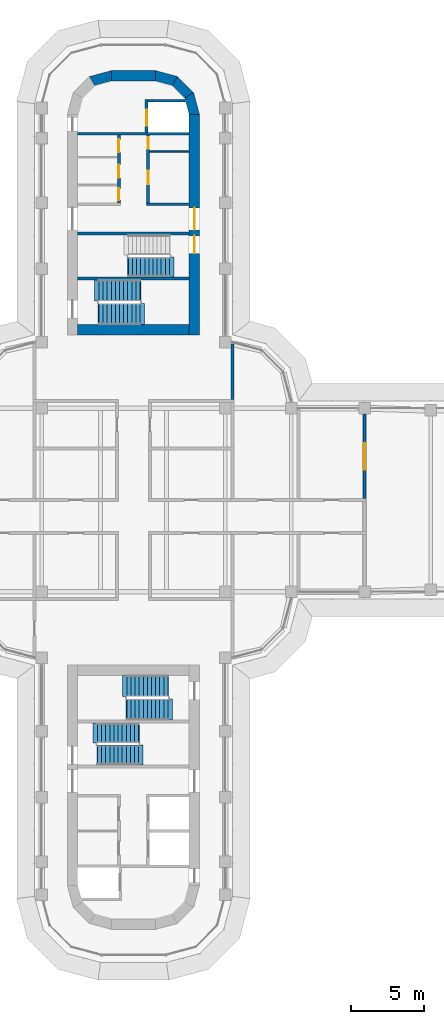
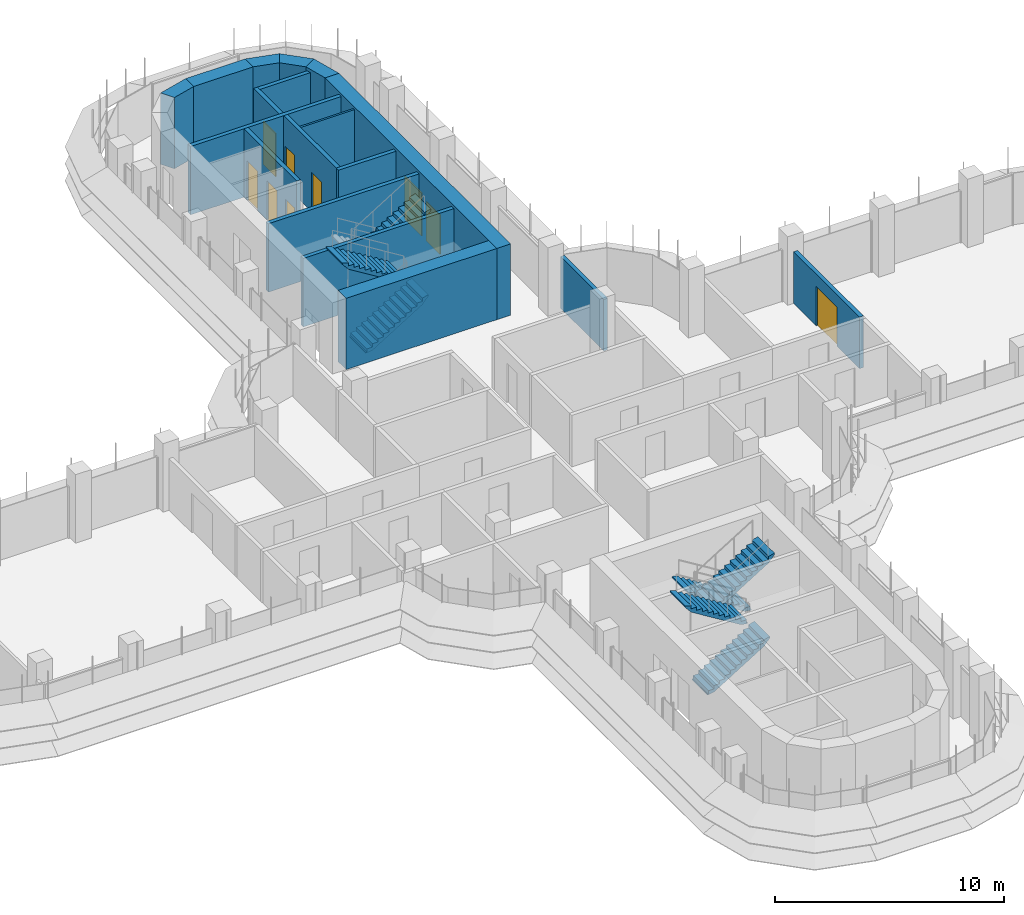
# One storey, part 15 of 20: 18 walls, 9 doors, 7 stair flights, 9 openings, 4 elements without a shape of their own.
"""IFC4 building model written with IfcOpenShell, lengths in metres."""

from ifc_helpers import new_model, si_unit, direction, frame, frame_2d, origin, place, context, subcontext, project, spatial, polyline, rectangle, outline, extrude, material, layer, layer_set, type_object, element, fill, aggregate, save


model = new_model("IFC4")

# Units and contexts
model_context = context("Model", 3, precision=1e-05, world=origin(), true_north=direction((0.0, 1.0)))
body_context = subcontext(model_context, "Body", "Model", "MODEL_VIEW")
ifc_project = project(units=[si_unit("LENGTHUNIT", "METRE"), si_unit("AREAUNIT", "SQUARE_METRE"), si_unit("VOLUMEUNIT", "CUBIC_METRE"), si_unit("PLANEANGLEUNIT", "RADIAN"), si_unit("MASSUNIT", "GRAM", prefix="KILO")], contexts=[model_context])

# Site, building, storey
site_placement = place(None, origin())
site = spatial("IfcSite", under=ifc_project, at=site_placement, CompositionType="ELEMENT")
building_placement = place(site_placement, origin())
building = spatial("IfcBuilding", under=site, at=building_placement, Name="Zarbagh Exchange Tower", CompositionType="ELEMENT")
storey_placement = place(building_placement, frame((0.0, 0.0, 163.800048828125)))
storey = spatial("IfcBuildingStorey", under=building, at=storey_placement, Name="L39", CompositionType="ELEMENT", Elevation=163.800048828125)

# Walls
ifc_material_1 = material(Name="Dense blockwork", Category="masonry")
ifc_layer_1 = layer(ifc_material_1, 0.10009765625)
ifc_layer_set_1 = layer_set([ifc_layer_1], Name="Core partition 100 mm blockwork")
wall_type_1 = type_object("IfcWallType", Name="Core partition 100 mm blockwork", PredefinedType="PARTITIONING", material=ifc_layer_set_1)
wall_1_placement = place(storey_placement, frame((1.10009765625, 23.75, 0.0), z_axis=(0.0, 0.0, 1.0), x_axis=(1.0, 0.0, 0.0)))
element("IfcWall", 1, at=wall_1_placement, inside=storey, type_object=wall_type_1, Name="North core partition wall CUT-E-460", PredefinedType="PARTITIONING", context=body_context, shape_type="SweptSolid", body=[
    extrude(rectangle(XDim=2.699951171875, YDim=0.10009765625, at=frame_2d((1.35009765625, 0.0))), origin(), (0.0, 0.0, 1.0), 3.64990234375),
])
ifc_material_2 = material(Name="Fire-rated plasterboard partition")
ifc_layer_2 = layer(ifc_material_2, 0.199951171875)
ifc_layer_set_2 = layer_set([ifc_layer_2], Name="RATED PARTITION 200")
wall_type_2 = type_object("IfcWallType", Name="RATED PARTITION 200", PredefinedType="PARTITIONING", material=ifc_layer_set_2)
wall_2_placement = place(storey_placement, frame((6.75, 6.85009765625, 0.0), z_axis=(0.0, 0.0, 1.0), x_axis=(0.0, 1.0, 0.0)))
element("IfcWall", 2, at=wall_2_placement, inside=storey, type_object=wall_type_2, Name="Partition W-1722", PredefinedType="PARTITIONING", context=body_context, shape_type="SweptSolid", body=[
    extrude(rectangle(XDim=3.77978515625, YDim=0.199951171875, at=frame_2d((1.889892578125, 0.0))), origin(), (0.0, 0.0, 1.0), 2.75),
])

# Wall, opening, door
wall_3_placement = place(storey_placement, frame((15.75, 5.85009765625, 0.0), z_axis=(0.0, 0.0, 1.0), x_axis=(0.0, -1.0, 0.0)))
wall_3 = element("IfcWall", 3, at=wall_3_placement, inside=storey, type_object=wall_type_2, Name="Partition W-1742", PredefinedType="PARTITIONING", context=body_context, shape_type="SweptSolid", body=[
    extrude(rectangle(XDim=5.75, YDim=0.199951171875, at=frame_2d((2.875, 0.0))), origin(), (0.0, 0.0, 1.0), 2.75),
])
opening_1_placement = place(wall_3_placement, frame((1.97509765625, 0.0, 0.0)))
opening_1 = element("IfcOpeningElement", 4, at=opening_1_placement, cuts=wall_3, Name="Opening D-1701", PredefinedType="OPENING", context=body_context, shape_type="SweptSolid", body=[
    extrude(rectangle(XDim=1.800048828125, YDim=2.10009765625, at=frame_2d((0.89990234375, 1.050048828125))), frame((0.0, 0.10986328125, 0.0), z_axis=(0.0, -1.0, 0.0), x_axis=(1.0, 0.0, 0.0)), (0.0, 0.0, 1.0), 0.219970703125),
])
ifc_material_3 = material(Name="Steel door set", Category="steel")
door_type_1 = type_object("IfcDoorType", Name="FIRE DOUBLE DOOR 1800 X 2100 FD30S", OperationType="DOUBLE_DOOR_SINGLE_SWING", PredefinedType="DOOR", material=ifc_material_3)
door_1_placement = place(opening_1_placement, origin())
door_1 = element("IfcDoor", 5, at=door_1_placement, inside=storey, type_object=door_type_1, Name="Door D-1701", OperationType="DOUBLE_DOOR_SINGLE_SWING", OverallHeight=2.10009765625, OverallWidth=1.800048828125, PredefinedType="DOOR", context=body_context, shape_type="SweptSolid", body=[
    extrude(rectangle(XDim=1.800048828125, YDim=2.10009765625, at=frame_2d((0.89990234375, 1.050048828125))), frame((0.0, 0.02490234375, 0.0), z_axis=(0.0, -1.0, 0.0), x_axis=(1.0, 0.0, 0.0)), (0.0, 0.0, 1.0), 0.050048828125),
])
fill(opening_1, door_1)

# Walls
ifc_material_4 = material(Name="Concrete C50/60", Category="concrete")
ifc_layer_3 = layer(ifc_material_4, 0.699951171875)
ifc_layer_set_3 = layer_set([ifc_layer_3], Name="RC core corner wall 700 C50/60")
wall_type_3 = type_object("IfcWallType", Name="RC core corner wall 700 C50/60", PredefinedType="SHEAR", material=ifc_layer_set_3)
wall_4_placement = place(storey_placement, origin())
element("IfcWall", 6, at=wall_4_placement, inside=storey, type_object=wall_type_3, Name="CW6 core N corner W", PredefinedType="SHEAR", context=body_context, shape_type="SweptSolid", body=[
    extrude(outline(polyline([(-3.0, 28.84814453125), (-1.5, 29.25), (-1.5, 28.550048828125), (-2.64990234375, 28.241943359375), (-3.0, 28.84814453125)])), origin(), (0.0, 0.0, 1.0), 3.800048828125),
])
wall_5_placement = place(storey_placement, origin())
element("IfcWall", 7, at=wall_5_placement, inside=storey, type_object=wall_type_3, Name="CW6 core N corner E", PredefinedType="SHEAR", context=body_context, shape_type="SweptSolid", body=[
    extrude(outline(polyline([(4.5, 26.25), (4.09814453125, 27.75), (3.491943359375, 27.39990234375), (3.800048828125, 26.25), (4.5, 26.25)])), origin(), (0.0, 0.0, 1.0), 3.800048828125),
])
wall_6_placement = place(storey_placement, origin())
element("IfcWall", 8, at=wall_6_placement, inside=storey, type_object=wall_type_3, Name="CW6 core N corner E", PredefinedType="SHEAR", context=body_context, shape_type="SweptSolid", body=[
    extrude(outline(polyline([(4.09814453125, 27.75), (3.0, 28.84814453125), (2.64990234375, 28.241943359375), (3.491943359375, 27.39990234375), (4.09814453125, 27.75)])), origin(), (0.0, 0.0, 1.0), 3.800048828125),
])
wall_7_placement = place(storey_placement, origin())
element("IfcWall", 9, at=wall_7_placement, inside=storey, type_object=wall_type_3, Name="CW6 core N corner E", PredefinedType="SHEAR", context=body_context, shape_type="SweptSolid", body=[
    extrude(outline(polyline([(3.0, 28.84814453125), (1.5, 29.25), (1.5, 28.550048828125), (2.64990234375, 28.241943359375), (3.0, 28.84814453125)])), origin(), (0.0, 0.0, 1.0), 3.800048828125),
])

# Wall, openings, doors
ifc_layer_4 = layer(ifc_material_4, 0.699951171875)
ifc_layer_set_4 = layer_set([ifc_layer_4], Name="RC core wall 700 C50/60")
wall_type_4 = type_object("IfcWallType", Name="RC core wall 700 C50/60", PredefinedType="SHEAR", material=ifc_layer_set_4)
wall_8_placement = place(storey_placement, frame((4.14990234375, 11.25, 0.0), z_axis=(0.0, 0.0, 1.0), x_axis=(0.0, 1.0, 0.0)))
wall_8 = element("IfcWall", 10, at=wall_8_placement, inside=storey, type_object=wall_type_4, Name="CW5 core N E", PredefinedType="SHEAR", context=body_context, shape_type="SweptSolid", body=[
    extrude(rectangle(XDim=15.0, YDim=0.699951171875, at=frame_2d((7.5, 0.0))), origin(), (0.0, 0.0, 1.0), 3.800048828125),
])
opening_2_placement = place(wall_8_placement, frame((7.14990234375, 0.0, 0.0)))
opening_2 = element("IfcOpeningElement", 11, at=opening_2_placement, cuts=wall_8, Name="Opening CD1-1500", PredefinedType="OPENING", context=body_context, shape_type="SweptSolid", body=[
    extrude(rectangle(XDim=1.5, YDim=2.300048828125, at=frame_2d((0.75, 1.14990234375))), frame((0.0, 0.35986328125, 0.0), z_axis=(0.0, -1.0, 0.0), x_axis=(1.0, 0.0, 0.0)), (0.0, 0.0, 1.0), 0.719970703125),
])
opening_3_placement = place(wall_8_placement, frame((5.550048828125, 0.0, 0.0)))
opening_3 = element("IfcOpeningElement", 12, at=opening_3_placement, cuts=wall_8, Name="Opening SD1-1200", PredefinedType="OPENING", context=body_context, shape_type="SweptSolid", body=[
    extrude(rectangle(XDim=1.199951171875, YDim=2.10009765625, at=frame_2d((0.60009765625, 1.050048828125))), frame((0.0, 0.35986328125, 0.0), z_axis=(0.0, -1.0, 0.0), x_axis=(1.0, 0.0, 0.0)), (0.0, 0.0, 1.0), 0.719970703125),
])
ifc_material_5 = material(Name="Steel", Category="steel")
door_type_2 = type_object("IfcDoorType", Name="Exit stair door 1200 x 2100", OperationType="NOTDEFINED", PredefinedType="DOOR", material=ifc_material_5)
door_2_placement = place(opening_3_placement, origin())
door_2 = element("IfcDoor", 13, at=door_2_placement, inside=storey, type_object=door_type_2, Name="North core stair door ST1", OperationType="SINGLE_SWING_RIGHT", OverallHeight=2.10009765625, OverallWidth=1.199951171875, PredefinedType="DOOR", context=body_context, shape_type="SweptSolid", body=[
    extrude(rectangle(XDim=1.199951171875, YDim=2.10009765625, at=frame_2d((0.60009765625, 1.050048828125))), frame((0.0, 0.02490234375, 0.0), z_axis=(0.0, -1.0, 0.0), x_axis=(1.0, 0.0, 0.0)), (0.0, 0.0, 1.0), 0.050048828125),
])
fill(opening_3, door_2)
door_type_3 = type_object("IfcDoorType", Name="Lift lobby double door 1500 x 2300", OperationType="NOTDEFINED", PredefinedType="DOOR", material=ifc_material_5)
door_3_placement = place(opening_2_placement, origin())
door_3 = element("IfcDoor", 14, at=door_3_placement, inside=storey, type_object=door_type_3, Name="North core lift lobby door LOBBY-E", OperationType="DOUBLE_DOOR_SINGLE_SWING", OverallHeight=2.300048828125, OverallWidth=1.5, PredefinedType="DOOR", context=body_context, shape_type="SweptSolid", body=[
    extrude(rectangle(XDim=1.5, YDim=2.300048828125, at=frame_2d((0.75, 1.14990234375))), frame((0.0, 0.02490234375, 0.0), z_axis=(0.0, -1.0, 0.0), x_axis=(1.0, 0.0, 0.0)), (0.0, 0.0, 1.0), 0.050048828125),
])
fill(opening_2, door_3)

# Walls
wall_9_placement = place(storey_placement, frame((-3.800048828125, 11.60009765625, 0.0), z_axis=(0.0, 0.0, 1.0), x_axis=(1.0, 0.0, 0.0)))
element("IfcWall", 15, at=wall_9_placement, inside=storey, type_object=wall_type_4, Name="CW5 core N inner end", PredefinedType="SHEAR", context=body_context, shape_type="SweptSolid", body=[
    extrude(rectangle(XDim=7.60009765625, YDim=0.699951171875, at=frame_2d((3.800048828125, 0.0))), origin(), (0.0, 0.0, 1.0), 3.800048828125),
])
wall_10_placement = place(storey_placement, frame((-1.5, 28.89990234375, 0.0), z_axis=(0.0, 0.0, 1.0), x_axis=(1.0, 0.0, 0.0)))
element("IfcWall", 16, at=wall_10_placement, inside=storey, type_object=wall_type_4, Name="CW5 core N outer end", PredefinedType="SHEAR", context=body_context, shape_type="SweptSolid", body=[
    extrude(rectangle(XDim=3.0, YDim=0.699951171875, at=frame_2d((1.5, 0.0))), origin(), (0.0, 0.0, 1.0), 3.800048828125),
])

# Wall, openings, doors
ifc_layer_5 = layer(ifc_material_1, 0.199951171875)
ifc_layer_set_5 = layer_set([ifc_layer_5], Name="Shaft wall 200 mm blockwork")
wall_type_5 = type_object("IfcWallType", Name="Shaft wall 200 mm blockwork", PredefinedType="PARTITIONING", material=ifc_layer_set_5)
wall_11_placement = place(storey_placement, frame((-1.0, 24.85009765625, 0.0), z_axis=(0.0, 0.0, 1.0), x_axis=(0.0, -1.0, 0.0)))
wall_11 = element("IfcWall", 17, at=wall_11_placement, inside=storey, type_object=wall_type_5, Name="North core shaft wall LW-W", PredefinedType="PARTITIONING", context=body_context, shape_type="SweptSolid", body=[
    extrude(rectangle(XDim=4.60009765625, YDim=0.199951171875, at=frame_2d((2.300048828125, 0.0))), origin(), (0.0, 0.0, 1.0), 3.64990234375),
])
opening_4_placement = place(wall_11_placement, frame((0.27490234375, 0.0, 0.0)))
opening_4 = element("IfcOpeningElement", 18, at=opening_4_placement, cuts=wall_11, Name="Opening CD3-900", PredefinedType="OPENING", context=body_context, shape_type="SweptSolid", body=[
    extrude(rectangle(XDim=0.89990234375, YDim=2.10009765625, at=frame_2d((0.449951171875, 1.050048828125))), frame((0.0, 0.10986328125, 0.0), z_axis=(0.0, -1.0, 0.0), x_axis=(1.0, 0.0, 0.0)), (0.0, 0.0, 1.0), 0.219970703125),
])
opening_5_placement = place(wall_11_placement, frame((2.0, 0.0, 0.0)))
opening_5 = element("IfcOpeningElement", 19, at=opening_5_placement, cuts=wall_11, Name="Opening CD3-900", PredefinedType="OPENING", context=body_context, shape_type="SweptSolid", body=[
    extrude(rectangle(XDim=0.89990234375, YDim=2.10009765625, at=frame_2d((0.449951171875, 1.050048828125))), frame((0.0, 0.10986328125, 0.0), z_axis=(0.0, -1.0, 0.0), x_axis=(1.0, 0.0, 0.0)), (0.0, 0.0, 1.0), 0.219970703125),
])
opening_6_placement = place(wall_11_placement, frame((3.625, 0.0, 0.0)))
opening_6 = element("IfcOpeningElement", 20, at=opening_6_placement, cuts=wall_11, Name="Opening CD3-800", PredefinedType="OPENING", context=body_context, shape_type="SweptSolid", body=[
    extrude(rectangle(XDim=0.800048828125, YDim=2.10009765625, at=frame_2d((0.39990234375, 1.050048828125))), frame((0.0, 0.10986328125, 0.0), z_axis=(0.0, -1.0, 0.0), x_axis=(1.0, 0.0, 0.0)), (0.0, 0.0, 1.0), 0.219970703125),
])
door_type_4 = type_object("IfcDoorType", Name="Core room door 800 x 2100", OperationType="NOTDEFINED", PredefinedType="DOOR", material=ifc_material_5)
door_4_placement = place(opening_6_placement, origin())
door_4 = element("IfcDoor", 21, at=door_4_placement, inside=storey, type_object=door_type_4, Name="North core IT room door RD-W-2", OperationType="SINGLE_SWING_LEFT", OverallHeight=2.10009765625, OverallWidth=0.800048828125, PredefinedType="DOOR", context=body_context, shape_type="SweptSolid", body=[
    extrude(rectangle(XDim=0.800048828125, YDim=2.10009765625, at=frame_2d((0.39990234375, 1.050048828125))), frame((0.0, 0.02490234375, 0.0), z_axis=(0.0, -1.0, 0.0), x_axis=(1.0, 0.0, 0.0)), (0.0, 0.0, 1.0), 0.050048828125),
])
fill(opening_6, door_4)
door_type_5 = type_object("IfcDoorType", Name="Core room door 900 x 2100", OperationType="NOTDEFINED", PredefinedType="DOOR", material=ifc_material_5)
door_5_placement = place(opening_4_placement, origin())
door_5 = element("IfcDoor", 22, at=door_5_placement, inside=storey, type_object=door_type_5, Name="North core Cleaner's store door RD-W-0", OperationType="SINGLE_SWING_LEFT", OverallHeight=2.10009765625, OverallWidth=0.89990234375, PredefinedType="DOOR", context=body_context, shape_type="SweptSolid", body=[
    extrude(rectangle(XDim=0.89990234375, YDim=2.10009765625, at=frame_2d((0.449951171875, 1.050048828125))), frame((0.0, 0.02490234375, 0.0), z_axis=(0.0, -1.0, 0.0), x_axis=(1.0, 0.0, 0.0)), (0.0, 0.0, 1.0), 0.050048828125),
])
fill(opening_4, door_5)
door_6_placement = place(opening_5_placement, origin())
door_6 = element("IfcDoor", 23, at=door_6_placement, inside=storey, type_object=door_type_5, Name="North core Pantry door RD-W-1", OperationType="SINGLE_SWING_LEFT", OverallHeight=2.10009765625, OverallWidth=0.89990234375, PredefinedType="DOOR", context=body_context, shape_type="SweptSolid", body=[
    extrude(rectangle(XDim=0.89990234375, YDim=2.10009765625, at=frame_2d((0.449951171875, 1.050048828125))), frame((0.0, 0.02490234375, 0.0), z_axis=(0.0, -1.0, 0.0), x_axis=(1.0, 0.0, 0.0)), (0.0, 0.0, 1.0), 0.050048828125),
])
fill(opening_5, door_6)

# Wall
wall_12_placement = place(storey_placement, frame((0.89990234375, 20.14990234375, 0.0), z_axis=(0.0, 0.0, 1.0), x_axis=(1.0, 0.0, 0.0)))
element("IfcWall", 24, at=wall_12_placement, inside=storey, type_object=wall_type_5, Name="North core shaft wall AB-E", PredefinedType="PARTITIONING", context=body_context, shape_type="SweptSolid", body=[
    extrude(rectangle(XDim=2.900146484375, YDim=0.199951171875, at=frame_2d((1.4501953125, 0.0))), origin(), (0.0, 0.0, 1.0), 3.64990234375),
])

# Wall, openings, doors
wall_13_placement = place(storey_placement, frame((1.0, 24.85009765625, 0.0), z_axis=(0.0, 0.0, 1.0), x_axis=(0.0, -1.0, 0.0)))
wall_13 = element("IfcWall", 25, at=wall_13_placement, inside=storey, type_object=wall_type_5, Name="North core shaft wall LW-E", PredefinedType="PARTITIONING", context=body_context, shape_type="SweptSolid", body=[
    extrude(rectangle(XDim=4.60009765625, YDim=0.199951171875, at=frame_2d((2.300048828125, 0.0))), origin(), (0.0, 0.0, 1.0), 3.64990234375),
])
opening_7_placement = place(wall_13_placement, frame((0.125, 0.0, 0.0)))
opening_7 = element("IfcOpeningElement", 26, at=opening_7_placement, cuts=wall_13, Name="Opening CD3-800", PredefinedType="OPENING", context=body_context, shape_type="SweptSolid", body=[
    extrude(rectangle(XDim=0.800048828125, YDim=2.10009765625, at=frame_2d((0.39990234375, 1.050048828125))), frame((0.0, 0.10986328125, 0.0), z_axis=(0.0, -1.0, 0.0), x_axis=(1.0, 0.0, 0.0)), (0.0, 0.0, 1.0), 0.219970703125),
])
opening_8_placement = place(wall_13_placement, frame((2.425048828125, 0.0, 0.0)))
opening_8 = element("IfcOpeningElement", 27, at=opening_8_placement, cuts=wall_13, Name="Opening CD3-900", PredefinedType="OPENING", context=body_context, shape_type="SweptSolid", body=[
    extrude(rectangle(XDim=0.89990234375, YDim=2.10009765625, at=frame_2d((0.449951171875, 1.050048828125))), frame((0.0, 0.10986328125, 0.0), z_axis=(0.0, -1.0, 0.0), x_axis=(1.0, 0.0, 0.0)), (0.0, 0.0, 1.0), 0.219970703125),
])
door_7_placement = place(opening_7_placement, origin())
door_7 = element("IfcDoor", 28, at=door_7_placement, inside=storey, type_object=door_type_4, Name="North core Store door RD-E-0", OperationType="SINGLE_SWING_LEFT", OverallHeight=2.10009765625, OverallWidth=0.800048828125, PredefinedType="DOOR", context=body_context, shape_type="SweptSolid", body=[
    extrude(rectangle(XDim=0.800048828125, YDim=2.10009765625, at=frame_2d((0.39990234375, 1.050048828125))), frame((0.0, 0.02490234375, 0.0), z_axis=(0.0, -1.0, 0.0), x_axis=(1.0, 0.0, 0.0)), (0.0, 0.0, 1.0), 0.050048828125),
])
fill(opening_7, door_7)
door_8_placement = place(opening_8_placement, origin())
door_8 = element("IfcDoor", 29, at=door_8_placement, inside=storey, type_object=door_type_5, Name="North core Staff WC door RD-E-1", OperationType="SINGLE_SWING_LEFT", OverallHeight=2.10009765625, OverallWidth=0.89990234375, PredefinedType="DOOR", context=body_context, shape_type="SweptSolid", body=[
    extrude(rectangle(XDim=0.89990234375, YDim=2.10009765625, at=frame_2d((0.449951171875, 1.050048828125))), frame((0.0, 0.02490234375, 0.0), z_axis=(0.0, -1.0, 0.0), x_axis=(1.0, 0.0, 0.0)), (0.0, 0.0, 1.0), 0.050048828125),
])
fill(opening_8, door_8)

# Wall
ifc_material_6 = material(Name="Concrete C40/50", Category="concrete")
ifc_layer_6 = layer(ifc_material_6, 0.199951171875)
ifc_layer_set_6 = layer_set([ifc_layer_6], Name="Stair enclosure wall 200 mm RC C40/50")
wall_type_6 = type_object("IfcWallType", Name="Stair enclosure wall 200 mm RC C40/50", PredefinedType="SHEAR", material=ifc_layer_set_6)
wall_14_placement = place(storey_placement, frame((-3.800048828125, 24.949951171875, 0.0), z_axis=(0.0, 0.0, 1.0), x_axis=(1.0, 0.0, 0.0)))
element("IfcWall", 30, at=wall_14_placement, inside=storey, type_object=wall_type_6, Name="North core lift shaft wall FFA", PredefinedType="SHEAR", context=body_context, shape_type="SweptSolid", body=[
    extrude(rectangle(XDim=7.60009765625, YDim=0.199951171875, at=frame_2d((3.800048828125, 0.0))), origin(), (0.0, 0.0, 1.0), 3.64990234375),
])

# Wall, opening, door
wall_15_placement = place(storey_placement, frame((0.89990234375, 27.300048828125, 0.0), z_axis=(0.0, 0.0, 1.0), x_axis=(0.0, -1.0, 0.0)))
wall_15 = element("IfcWall", 31, at=wall_15_placement, inside=storey, type_object=wall_type_6, Name="North core lift shaft wall FFL", PredefinedType="SHEAR", context=body_context, shape_type="SweptSolid", body=[
    extrude(rectangle(XDim=2.25, YDim=0.199951171875, at=frame_2d((1.125, 0.0))), origin(), (0.0, 0.0, 1.0), 3.64990234375),
])
opening_9_placement = place(wall_15_placement, frame((0.699951171875, 0.0, 0.0)))
opening_9 = element("IfcOpeningElement", 32, at=opening_9_placement, cuts=wall_15, Name="Opening LD-1100", PredefinedType="OPENING", context=body_context, shape_type="SweptSolid", body=[
    extrude(rectangle(XDim=1.10009765625, YDim=2.300048828125, at=frame_2d((0.550048828125, 1.14990234375))), frame((0.0, 0.10986328125, 0.0), z_axis=(0.0, -1.0, 0.0), x_axis=(1.0, 0.0, 0.0)), (0.0, 0.0, 1.0), 0.219970703125),
])
ifc_material_7 = material(Name="Stainless steel", Category="steel")
door_type_6 = type_object("IfcDoorType", Name="Lift landing door 1100 x 2300", OperationType="NOTDEFINED", PredefinedType="DOOR", material=ifc_material_7)
door_9_placement = place(opening_9_placement, origin())
door_9 = element("IfcDoor", 33, at=door_9_placement, inside=storey, type_object=door_type_6, Name="North core lift landing door LD-F", OperationType="DOUBLE_DOOR_SLIDING", OverallHeight=2.300048828125, OverallWidth=1.10009765625, PredefinedType="DOOR", context=body_context, shape_type="SweptSolid", body=[
    extrude(rectangle(XDim=1.10009765625, YDim=2.300048828125, at=frame_2d((0.550048828125, 1.14990234375))), frame((0.0, 0.02490234375, 0.0), z_axis=(0.0, -1.0, 0.0), x_axis=(1.0, 0.0, 0.0)), (0.0, 0.0, 1.0), 0.050048828125),
])
fill(opening_9, door_9)

# Walls
wall_16_placement = place(storey_placement, origin())
element("IfcWall", 34, at=wall_16_placement, inside=storey, type_object=wall_type_6, Name="North core lift shaft wall FFX", PredefinedType="SHEAR", context=body_context, shape_type="SweptSolid", body=[
    extrude(outline(polyline([(1.0, 27.10009765625), (3.547607421875, 27.10009765625), (3.493896484375, 27.300048828125), (1.0, 27.300048828125), (1.0, 27.10009765625)])), origin(), (0.0, 0.0, 1.0), 3.64990234375),
])
for number, where, z_axis, x_axis, name in (
    (35, (-3.800048828125, 18.14990234375, 0.0), (0.0, 0.0, 1.0), (1.0, 0.0, 0.0), "North core stair wall BS"),
    (36, (-3.800048828125, 15.10009765625, 0.0), (0.0, 0.0, 1.0), (1.0, 0.0, 0.0), "North core stair wall ST12"),
):
    element("IfcWall", number, at=place(storey_placement, frame(where, z_axis=z_axis, x_axis=x_axis)), inside=storey, type_object=wall_type_6, Name=name, PredefinedType="SHEAR", context=body_context, shape_type="SweptSolid", body=[
        extrude(rectangle(XDim=7.60009765625, YDim=0.199951171875, at=frame_2d((3.800048828125, 0.0))), origin(), (0.0, 0.0, 1.0), 3.64990234375),
    ])

# Stair, stair flight
stair_type = type_object("IfcStairType", Name="Exit stair two-flight half-turn", PredefinedType="HALF_TURN_STAIR", material=ifc_material_6)
stair_1_placement = place(storey_placement, origin())
stair_1 = element("IfcStair", 37, at=stair_1_placement, inside=storey, type_object=stair_type, Name="exit stair ST1", PredefinedType="HALF_TURN_STAIR")
stair_flight_type_1 = type_object("IfcStairFlightType", Name="Stair flight 1350 mm", PredefinedType="STRAIGHT", material=ifc_material_6)
stair_flight_1_placement = place(storey_placement, frame((-0.35009765625, 15.875, 1.89990234375), z_axis=(0.0, 0.0, 1.0), x_axis=(1.0, 0.0, 0.0)))
stair_flight_1 = element("IfcStairFlight", 38, at=stair_flight_1_placement, type_object=stair_flight_type_1, Name="ST1 flight 2", NumberOfRisers=11, NumberOfTreads=10, PredefinedType="STRAIGHT", RiserHeight=0.172727273, TreadLength=0.28, context=body_context, shape_type="SweptSolid", body=[
    extrude(outline(polyline([(-0.050048828125, -0.050048828125), (-0.050048828125, 0.0), (0.0, 0.0), (0.0, 0.172607421875), (0.280029296875, 0.172607421875), (0.280029296875, 0.345458984375), (0.56005859375, 0.345458984375), (0.56005859375, 0.51806640625), (0.840087890625, 0.51806640625), (0.840087890625, 0.69091796875), (1.1201171875, 0.69091796875), (1.1201171875, 0.863525390625), (1.39990234375, 0.863525390625), (1.39990234375, 1.036376953125), (1.679931640625, 1.036376953125), (1.679931640625, 1.208984375), (1.9599609375, 1.208984375), (1.9599609375, 1.3818359375), (2.239990234375, 1.3818359375), (2.239990234375, 1.554443359375), (2.52001953125, 1.554443359375), (2.52001953125, 1.727294921875), (2.800048828125, 1.727294921875), (2.800048828125, 1.89990234375), (3.10009765625, 1.97998046875), (3.10009765625, 1.89990234375), (2.800048828125, 1.551025390625), (0.285400390625, 0.0), (-0.050048828125, -0.050048828125)])), frame((0.0, 0.675048828125, 0.0), z_axis=(0.0, -1.0, 0.0), x_axis=(1.0, 0.0, 0.0)), (0.0, 0.0, 1.0), 1.35009765625),
])
aggregate(stair_1, [stair_flight_1])

# Stair, stair flights
stair_2_placement = place(storey_placement, origin())
stair_2 = element("IfcStair", 39, at=stair_2_placement, inside=storey, type_object=stair_type, Name="exit stair ST3", PredefinedType="HALF_TURN_STAIR")
stair_flight_2_placement = place(storey_placement, frame((-2.449951171875, -17.375, 0.0), z_axis=(0.0, 0.0, 1.0), x_axis=(1.0, 0.0, 0.0)))
stair_flight_2 = element("IfcStairFlight", 40, at=stair_flight_2_placement, type_object=stair_flight_type_1, Name="ST3 flight 1", NumberOfRisers=11, NumberOfTreads=10, PredefinedType="STRAIGHT", RiserHeight=0.172727273, TreadLength=0.28, context=body_context, shape_type="SweptSolid", body=[
    extrude(outline(polyline([(-0.050048828125, -0.050048828125), (-0.050048828125, 0.0), (0.0, 0.0), (0.0, 0.172607421875), (0.280029296875, 0.172607421875), (0.280029296875, 0.345458984375), (0.56005859375, 0.345458984375), (0.56005859375, 0.51806640625), (0.840087890625, 0.51806640625), (0.840087890625, 0.69091796875), (1.1201171875, 0.69091796875), (1.1201171875, 0.863525390625), (1.39990234375, 0.863525390625), (1.39990234375, 1.036376953125), (1.679931640625, 1.036376953125), (1.679931640625, 1.208984375), (1.9599609375, 1.208984375), (1.9599609375, 1.3818359375), (2.239990234375, 1.3818359375), (2.239990234375, 1.554443359375), (2.52001953125, 1.554443359375), (2.52001953125, 1.727294921875), (2.800048828125, 1.727294921875), (2.800048828125, 1.89990234375), (3.10009765625, 1.97998046875), (3.10009765625, 1.89990234375), (2.800048828125, 1.551025390625), (0.285400390625, 0.0), (-0.050048828125, -0.050048828125)])), frame((0.0, 0.675048828125, 0.0), z_axis=(0.0, -1.0, 0.0), x_axis=(1.0, 0.0, 0.0)), (0.0, 0.0, 1.0), 1.35009765625),
])
stair_flight_3_placement = place(storey_placement, frame((0.35009765625, -15.875, 1.89990234375), z_axis=(0.0, 0.0, 1.0), x_axis=(-1.0, 0.0, 0.0)))
stair_flight_3 = element("IfcStairFlight", 41, at=stair_flight_3_placement, type_object=stair_flight_type_1, Name="ST3 flight 2", NumberOfRisers=11, NumberOfTreads=10, PredefinedType="STRAIGHT", RiserHeight=0.172727273, TreadLength=0.28, context=body_context, shape_type="SweptSolid", body=[
    extrude(outline(polyline([(-0.050048828125, -0.050048828125), (-0.050048828125, 0.0), (0.0, 0.0), (0.0, 0.172607421875), (0.280029296875, 0.172607421875), (0.280029296875, 0.345458984375), (0.56005859375, 0.345458984375), (0.56005859375, 0.51806640625), (0.840087890625, 0.51806640625), (0.840087890625, 0.69091796875), (1.1201171875, 0.69091796875), (1.1201171875, 0.863525390625), (1.39990234375, 0.863525390625), (1.39990234375, 1.036376953125), (1.679931640625, 1.036376953125), (1.679931640625, 1.208984375), (1.9599609375, 1.208984375), (1.9599609375, 1.3818359375), (2.239990234375, 1.3818359375), (2.239990234375, 1.554443359375), (2.52001953125, 1.554443359375), (2.52001953125, 1.727294921875), (2.800048828125, 1.727294921875), (2.800048828125, 1.89990234375), (3.10009765625, 1.97998046875), (3.10009765625, 1.89990234375), (2.800048828125, 1.551025390625), (0.285400390625, 0.0), (-0.050048828125, -0.050048828125)])), frame((0.0, 0.675048828125, 0.0), z_axis=(0.0, -1.0, 0.0), x_axis=(1.0, 0.0, 0.0)), (0.0, 0.0, 1.0), 1.35009765625),
])
aggregate(stair_2, [stair_flight_2, stair_flight_3])

stair_3_placement = place(storey_placement, origin())
stair_3 = element("IfcStair", 42, at=stair_3_placement, inside=storey, type_object=stair_type, Name="exit stair ST2", PredefinedType="HALF_TURN_STAIR")
stair_flight_type_2 = type_object("IfcStairFlightType", Name="Stair flight 1450 mm", PredefinedType="STRAIGHT", material=ifc_material_6)
stair_flight_4_placement = place(storey_placement, frame((-2.35009765625, 12.675048828125, 0.0), z_axis=(0.0, 0.0, 1.0), x_axis=(1.0, 0.0, 0.0)))
stair_flight_4 = element("IfcStairFlight", 43, at=stair_flight_4_placement, type_object=stair_flight_type_2, Name="ST2 flight 1", NumberOfRisers=11, NumberOfTreads=10, PredefinedType="STRAIGHT", RiserHeight=0.172727273, TreadLength=0.28, context=body_context, shape_type="SweptSolid", body=[
    extrude(outline(polyline([(-0.050048828125, -0.050048828125), (-0.050048828125, 0.0), (0.0, 0.0), (0.0, 0.172607421875), (0.280029296875, 0.172607421875), (0.280029296875, 0.345458984375), (0.56005859375, 0.345458984375), (0.56005859375, 0.51806640625), (0.840087890625, 0.51806640625), (0.840087890625, 0.69091796875), (1.1201171875, 0.69091796875), (1.1201171875, 0.863525390625), (1.39990234375, 0.863525390625), (1.39990234375, 1.036376953125), (1.679931640625, 1.036376953125), (1.679931640625, 1.208984375), (1.9599609375, 1.208984375), (1.9599609375, 1.3818359375), (2.239990234375, 1.3818359375), (2.239990234375, 1.554443359375), (2.52001953125, 1.554443359375), (2.52001953125, 1.727294921875), (2.800048828125, 1.727294921875), (2.800048828125, 1.89990234375), (3.10009765625, 1.97998046875), (3.10009765625, 1.89990234375), (2.800048828125, 1.551025390625), (0.285400390625, 0.0), (-0.050048828125, -0.050048828125)])), frame((0.0, 0.72509765625, 0.0), z_axis=(0.0, -1.0, 0.0), x_axis=(1.0, 0.0, 0.0)), (0.0, 0.0, 1.0), 1.449951171875),
])
stair_flight_5_placement = place(storey_placement, frame((0.449951171875, 14.27490234375, 1.89990234375), z_axis=(0.0, 0.0, 1.0), x_axis=(-1.0, 0.0, 0.0)))
stair_flight_5 = element("IfcStairFlight", 44, at=stair_flight_5_placement, type_object=stair_flight_type_2, Name="ST2 flight 2", NumberOfRisers=11, NumberOfTreads=10, PredefinedType="STRAIGHT", RiserHeight=0.172727273, TreadLength=0.28, context=body_context, shape_type="SweptSolid", body=[
    extrude(outline(polyline([(-0.050048828125, -0.050048828125), (-0.050048828125, 0.0), (0.0, 0.0), (0.0, 0.172607421875), (0.280029296875, 0.172607421875), (0.280029296875, 0.345458984375), (0.56005859375, 0.345458984375), (0.56005859375, 0.51806640625), (0.840087890625, 0.51806640625), (0.840087890625, 0.69091796875), (1.1201171875, 0.69091796875), (1.1201171875, 0.863525390625), (1.39990234375, 0.863525390625), (1.39990234375, 1.036376953125), (1.679931640625, 1.036376953125), (1.679931640625, 1.208984375), (1.9599609375, 1.208984375), (1.9599609375, 1.3818359375), (2.239990234375, 1.3818359375), (2.239990234375, 1.554443359375), (2.52001953125, 1.554443359375), (2.52001953125, 1.727294921875), (2.800048828125, 1.727294921875), (2.800048828125, 1.89990234375), (3.10009765625, 1.97998046875), (3.10009765625, 1.89990234375), (2.800048828125, 1.551025390625), (0.285400390625, 0.0), (-0.050048828125, -0.050048828125)])), frame((0.0, 0.72509765625, 0.0), z_axis=(0.0, -1.0, 0.0), x_axis=(1.0, 0.0, 0.0)), (0.0, 0.0, 1.0), 1.449951171875),
])
aggregate(stair_3, [stair_flight_4, stair_flight_5])

stair_4_placement = place(storey_placement, origin())
stair_4 = element("IfcStair", 45, at=stair_4_placement, inside=storey, type_object=stair_type, Name="exit stair ST4", PredefinedType="HALF_TURN_STAIR")
stair_flight_6_placement = place(storey_placement, frame((2.35009765625, -12.675048828125, 0.0), z_axis=(0.0, 0.0, 1.0), x_axis=(-1.0, 0.0, 0.0)))
stair_flight_6 = element("IfcStairFlight", 46, at=stair_flight_6_placement, type_object=stair_flight_type_2, Name="ST4 flight 1", NumberOfRisers=11, NumberOfTreads=10, PredefinedType="STRAIGHT", RiserHeight=0.172727273, TreadLength=0.28, context=body_context, shape_type="SweptSolid", body=[
    extrude(outline(polyline([(-0.050048828125, -0.050048828125), (-0.050048828125, 0.0), (0.0, 0.0), (0.0, 0.172607421875), (0.280029296875, 0.172607421875), (0.280029296875, 0.345458984375), (0.56005859375, 0.345458984375), (0.56005859375, 0.51806640625), (0.840087890625, 0.51806640625), (0.840087890625, 0.69091796875), (1.1201171875, 0.69091796875), (1.1201171875, 0.863525390625), (1.39990234375, 0.863525390625), (1.39990234375, 1.036376953125), (1.679931640625, 1.036376953125), (1.679931640625, 1.208984375), (1.9599609375, 1.208984375), (1.9599609375, 1.3818359375), (2.239990234375, 1.3818359375), (2.239990234375, 1.554443359375), (2.52001953125, 1.554443359375), (2.52001953125, 1.727294921875), (2.800048828125, 1.727294921875), (2.800048828125, 1.89990234375), (3.10009765625, 1.97998046875), (3.10009765625, 1.89990234375), (2.800048828125, 1.551025390625), (0.285400390625, 0.0), (-0.050048828125, -0.050048828125)])), frame((0.0, 0.72509765625, 0.0), z_axis=(0.0, -1.0, 0.0), x_axis=(1.0, 0.0, 0.0)), (0.0, 0.0, 1.0), 1.449951171875),
])
stair_flight_7_placement = place(storey_placement, frame((-0.449951171875, -14.27490234375, 1.89990234375), z_axis=(0.0, 0.0, 1.0), x_axis=(1.0, 0.0, 0.0)))
stair_flight_7 = element("IfcStairFlight", 47, at=stair_flight_7_placement, type_object=stair_flight_type_2, Name="ST4 flight 2", NumberOfRisers=11, NumberOfTreads=10, PredefinedType="STRAIGHT", RiserHeight=0.172727273, TreadLength=0.28, context=body_context, shape_type="SweptSolid", body=[
    extrude(outline(polyline([(-0.050048828125, -0.050048828125), (-0.050048828125, 0.0), (0.0, 0.0), (0.0, 0.172607421875), (0.280029296875, 0.172607421875), (0.280029296875, 0.345458984375), (0.56005859375, 0.345458984375), (0.56005859375, 0.51806640625), (0.840087890625, 0.51806640625), (0.840087890625, 0.69091796875), (1.1201171875, 0.69091796875), (1.1201171875, 0.863525390625), (1.39990234375, 0.863525390625), (1.39990234375, 1.036376953125), (1.679931640625, 1.036376953125), (1.679931640625, 1.208984375), (1.9599609375, 1.208984375), (1.9599609375, 1.3818359375), (2.239990234375, 1.3818359375), (2.239990234375, 1.554443359375), (2.52001953125, 1.554443359375), (2.52001953125, 1.727294921875), (2.800048828125, 1.727294921875), (2.800048828125, 1.89990234375), (3.10009765625, 1.97998046875), (3.10009765625, 1.89990234375), (2.800048828125, 1.551025390625), (0.285400390625, 0.0), (-0.050048828125, -0.050048828125)])), frame((0.0, 0.72509765625, 0.0), z_axis=(0.0, -1.0, 0.0), x_axis=(1.0, 0.0, 0.0)), (0.0, 0.0, 1.0), 1.449951171875),
])
aggregate(stair_4, [stair_flight_6, stair_flight_7])

save(model, "model.ifc")
